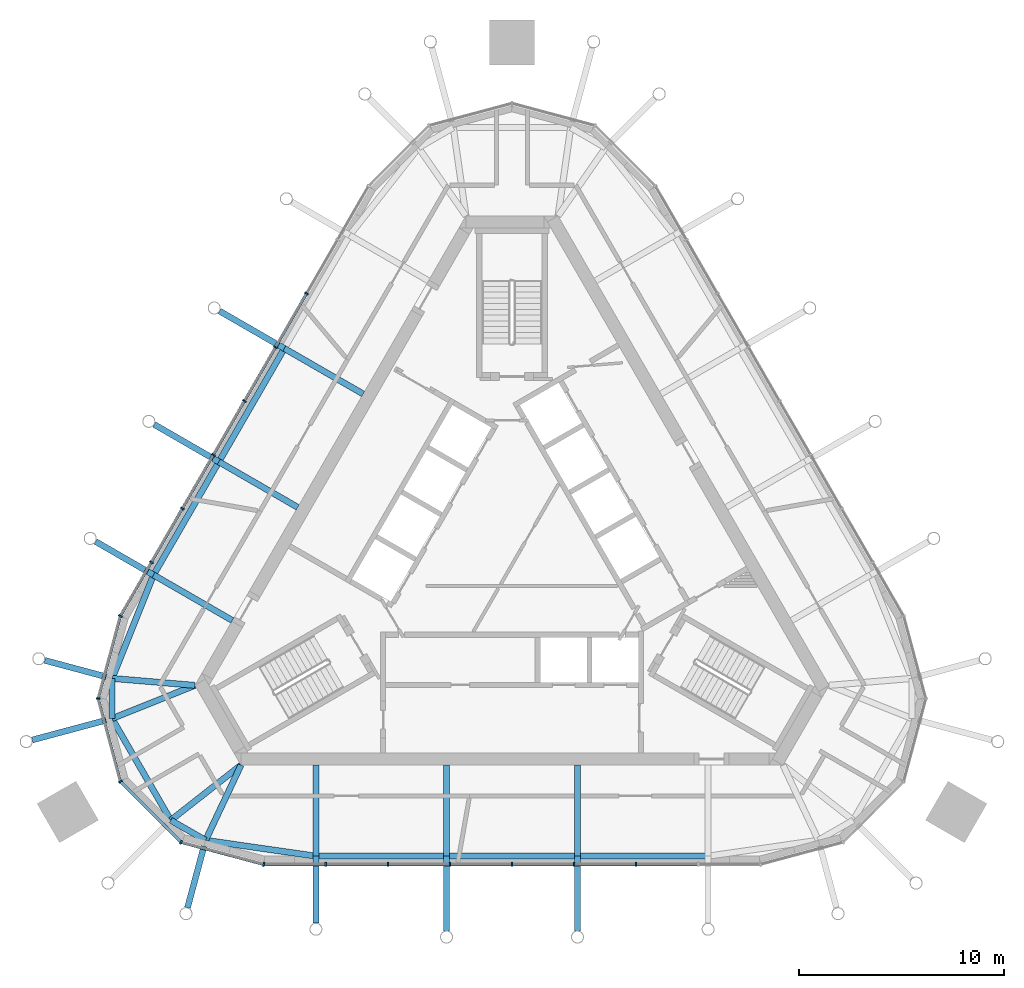
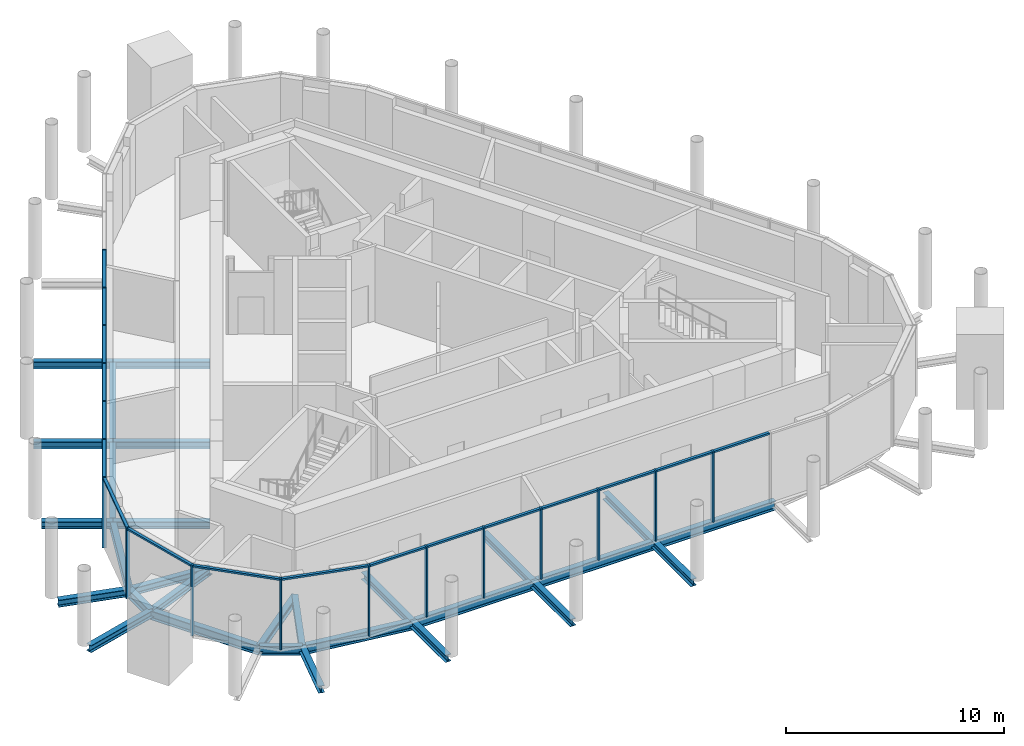
# One storey, part 2 of 11: 34 members, 29 beams, 3 elements without a shape of their own.
"""IFC4 building model written with IfcOpenShell, lengths in metres."""

from ifc_helpers import new_model, si_unit, direction, frame, origin, origin_2d, place, context, subcontext, project, spatial, rectangle, i_section, extrude, material, material_profile, profile_set, type_object, element, aggregate, save


model = new_model("IFC4")

# Units and contexts
model_context = context("Model", 3, precision=1e-05, world=origin(), true_north=direction((0.0, 1.0)))
body_context = subcontext(model_context, "Body", "Model", "MODEL_VIEW")
ifc_project = project(units=[si_unit("LENGTHUNIT", "METRE"), si_unit("AREAUNIT", "SQUARE_METRE"), si_unit("VOLUMEUNIT", "CUBIC_METRE"), si_unit("PLANEANGLEUNIT", "RADIAN"), si_unit("MASSUNIT", "GRAM", prefix="KILO")], contexts=[model_context])

# Site, building, storey
site_placement = place(None, origin())
site = spatial("IfcSite", under=ifc_project, at=site_placement, CompositionType="ELEMENT")
building_placement = place(site_placement, origin())
building = spatial("IfcBuilding", under=site, at=building_placement, Name="Mestral Congress Tower", CompositionType="ELEMENT")
storey_placement = place(building_placement, frame((0.0, 0.0, 331.800048828125)))
storey = spatial("IfcBuildingStorey", under=building, at=storey_placement, Name="L77", CompositionType="ELEMENT", Elevation=331.800048828125)

# Curtain wall, members
ifc_material_1 = material(Name="Glazed ceramic", Category="masonry")
curtain_wall_type = type_object("IfcCurtainWallType", Name="Facade plant louvre screen", PredefinedType="USERDEFINED", material=ifc_material_1)
placement = place(storey_placement, origin())
curtain_wall_1 = element("IfcCurtainWall", 1, at=placement, inside=storey, type_object=curtain_wall_type, Name="Plant louvre screen side 4", ObjectType="CURTAIN WALL", PredefinedType="USERDEFINED")
ifc_material_2 = material(Name="Anodised aluminium", Category="aluminium")
ifc_material_profile_1 = material_profile(ifc_material_2, rectangle(XDim=0.199951171875, YDim=0.080078125, at=origin_2d()), Name="CW6 mullion 200 x 80")
ifc_profile_set_1 = profile_set([ifc_material_profile_1], Name="Anodised aluminium")
member_type_1 = type_object("IfcMemberType", Name="Facade plant louvre screen mullion", PredefinedType="MULLION", material=ifc_profile_set_1)
member_1_placement = place(storey_placement, frame((-10.04248046875, 12.8056640625, 0.0), z_axis=(0.0, 0.0, 1.0), x_axis=(-0.866024531118, 0.500001511499, 0.0)))
member_1 = element("IfcMember", 2, at=member_1_placement, type_object=member_type_1, Name="Facade plant louvre screen mullion", PredefinedType="MULLION", context=body_context, shape_type="SweptSolid", body=[
    extrude(rectangle(XDim=0.199951171875, YDim=0.080078125, at=origin_2d()), origin(), (0.0, 0.0, 1.0), 3.949951171875),
])
member_2_placement = place(storey_placement, frame((-11.559814453125, 10.177978515625, 0.0), z_axis=(0.0, 0.0, 1.0), x_axis=(-0.866024531118, 0.500001511499, 0.0)))
member_2 = element("IfcMember", 3, at=member_2_placement, type_object=member_type_1, Name="Facade plant louvre screen mullion", PredefinedType="MULLION", context=body_context, shape_type="SweptSolid", body=[
    extrude(rectangle(XDim=0.199951171875, YDim=0.080078125, at=origin_2d()), origin(), (0.0, 0.0, 1.0), 3.949951171875),
])
member_3_placement = place(storey_placement, frame((-13.076904296875, 7.550048828125, 0.0), z_axis=(0.0, 0.0, 1.0), x_axis=(-0.866024531118, 0.500001511499, 0.0)))
member_3 = element("IfcMember", 4, at=member_3_placement, type_object=member_type_1, Name="Facade plant louvre screen mullion", PredefinedType="MULLION", context=body_context, shape_type="SweptSolid", body=[
    extrude(rectangle(XDim=0.199951171875, YDim=0.080078125, at=origin_2d()), origin(), (0.0, 0.0, 1.0), 3.949951171875),
])
member_4_placement = place(storey_placement, frame((-14.59423828125, 4.922119140625, 0.0), z_axis=(0.0, 0.0, 1.0), x_axis=(-0.866024531118, 0.500001511499, 0.0)))
member_4 = element("IfcMember", 5, at=member_4_placement, type_object=member_type_1, Name="Facade plant louvre screen mullion", PredefinedType="MULLION", context=body_context, shape_type="SweptSolid", body=[
    extrude(rectangle(XDim=0.199951171875, YDim=0.080078125, at=origin_2d()), origin(), (0.0, 0.0, 1.0), 3.949951171875),
])
member_5_placement = place(storey_placement, frame((-16.111328125, 2.294189453125, 0.0), z_axis=(0.0, 0.0, 1.0), x_axis=(-0.866024531118, 0.500001511499, 0.0)))
member_5 = element("IfcMember", 6, at=member_5_placement, type_object=member_type_1, Name="Facade plant louvre screen mullion", PredefinedType="MULLION", context=body_context, shape_type="SweptSolid", body=[
    extrude(rectangle(XDim=0.199951171875, YDim=0.080078125, at=origin_2d()), origin(), (0.0, 0.0, 1.0), 3.949951171875),
])
member_6_placement = place(storey_placement, frame((-17.628662109375, -0.33349609375, 0.0), z_axis=(0.0, 0.0, 1.0), x_axis=(-0.866024531118, 0.500001511499, 0.0)))
member_6 = element("IfcMember", 7, at=member_6_placement, type_object=member_type_1, Name="Facade plant louvre screen mullion", PredefinedType="MULLION", context=body_context, shape_type="SweptSolid", body=[
    extrude(rectangle(XDim=0.199951171875, YDim=0.080078125, at=origin_2d()), origin(), (0.0, 0.0, 1.0), 3.949951171875),
])
member_7_placement = place(storey_placement, frame((-19.145751953125, -2.96142578125, 0.0), z_axis=(0.0, 0.0, 1.0), x_axis=(-0.866024531118, 0.500001511499, 0.0)))
member_7 = element("IfcMember", 8, at=member_7_placement, type_object=member_type_1, Name="Facade plant louvre screen mullion", PredefinedType="MULLION", context=body_context, shape_type="SweptSolid", body=[
    extrude(rectangle(XDim=0.199951171875, YDim=0.080078125, at=origin_2d()), origin(), (0.0, 0.0, 1.0), 3.949951171875),
])

curtain_wall_2 = element("IfcCurtainWall", 9, at=placement, inside=storey, type_object=curtain_wall_type, Name="Plant louvre screen corner 5", ObjectType="CURTAIN WALL", PredefinedType="USERDEFINED")
member_8_placement = place(storey_placement, frame((-20.227783203125, -7.0, 0.0), z_axis=(0.0, 0.0, 1.0), x_axis=(-1.0, 0.0, 0.0)))
member_8 = element("IfcMember", 10, at=member_8_placement, type_object=member_type_1, Name="Facade plant louvre screen mullion", PredefinedType="MULLION", context=body_context, shape_type="SweptSolid", body=[
    extrude(rectangle(XDim=0.199951171875, YDim=0.080078125, at=origin_2d()), origin(), (0.0, 0.0, 1.0), 3.949951171875),
])
member_9_placement = place(storey_placement, frame((-19.142333984375, -11.0517578125, 0.0), z_axis=(0.0, 0.0, 1.0), x_axis=(-0.866025403784, -0.5, 0.0)))
member_9 = element("IfcMember", 11, at=member_9_placement, type_object=member_type_1, Name="Facade plant louvre screen mullion", PredefinedType="MULLION", context=body_context, shape_type="SweptSolid", body=[
    extrude(rectangle(XDim=0.199951171875, YDim=0.080078125, at=origin_2d()), origin(), (0.0, 0.0, 1.0), 3.949951171875),
])
member_10_placement = place(storey_placement, frame((-16.17626953125, -14.017822265625, 0.0), z_axis=(0.0, 0.0, 1.0), x_axis=(-0.5, -0.866025403784, 0.0)))
member_10 = element("IfcMember", 12, at=member_10_placement, type_object=member_type_1, Name="Facade plant louvre screen mullion", PredefinedType="MULLION", context=body_context, shape_type="SweptSolid", body=[
    extrude(rectangle(XDim=0.199951171875, YDim=0.080078125, at=origin_2d()), origin(), (0.0, 0.0, 1.0), 3.949951171875),
])
member_11_placement = place(storey_placement, frame((-12.1376953125, -15.10009765625, 0.0), z_axis=(0.0, 0.0, 1.0), x_axis=(-0.258819045103, -0.965925826289, 0.0)))
member_11 = element("IfcMember", 13, at=member_11_placement, type_object=member_type_1, Name="Facade plant louvre screen mullion", PredefinedType="MULLION", context=body_context, shape_type="SweptSolid", body=[
    extrude(rectangle(XDim=0.199951171875, YDim=0.080078125, at=origin_2d()), origin(), (0.0, 0.0, 1.0), 3.949951171875),
])

curtain_wall_3 = element("IfcCurtainWall", 14, at=placement, inside=storey, type_object=curtain_wall_type, Name="Plant louvre screen side 6", ObjectType="CURTAIN WALL", PredefinedType="USERDEFINED")
member_12_placement = place(storey_placement, frame((-9.103271484375, -15.10009765625, 0.0), z_axis=(0.0, 0.0, 1.0), x_axis=(0.0, -1.0, 0.0)))
member_12 = element("IfcMember", 15, at=member_12_placement, type_object=member_type_1, Name="Facade plant louvre screen mullion", PredefinedType="MULLION", context=body_context, shape_type="SweptSolid", body=[
    extrude(rectangle(XDim=0.199951171875, YDim=0.080078125, at=origin_2d()), origin(), (0.0, 0.0, 1.0), 3.949951171875),
])
member_13_placement = place(storey_placement, frame((-6.06884765625, -15.10009765625, 0.0), z_axis=(0.0, 0.0, 1.0), x_axis=(0.0, -1.0, 0.0)))
member_13 = element("IfcMember", 16, at=member_13_placement, type_object=member_type_1, Name="Facade plant louvre screen mullion", PredefinedType="MULLION", context=body_context, shape_type="SweptSolid", body=[
    extrude(rectangle(XDim=0.199951171875, YDim=0.080078125, at=origin_2d()), origin(), (0.0, 0.0, 1.0), 3.949951171875),
])
member_14_placement = place(storey_placement, frame((-3.034423828125, -15.10009765625, 0.0), z_axis=(0.0, 0.0, 1.0), x_axis=(0.0, -1.0, 0.0)))
member_14 = element("IfcMember", 17, at=member_14_placement, type_object=member_type_1, Name="Facade plant louvre screen mullion", PredefinedType="MULLION", context=body_context, shape_type="SweptSolid", body=[
    extrude(rectangle(XDim=0.199951171875, YDim=0.080078125, at=origin_2d()), origin(), (0.0, 0.0, 1.0), 3.949951171875),
])
member_15_placement = place(storey_placement, frame((0.0, -15.10009765625, 0.0), z_axis=(0.0, 0.0, 1.0), x_axis=(0.0, -1.0, 0.0)))
member_15 = element("IfcMember", 18, at=member_15_placement, type_object=member_type_1, Name="Facade plant louvre screen mullion", PredefinedType="MULLION", context=body_context, shape_type="SweptSolid", body=[
    extrude(rectangle(XDim=0.199951171875, YDim=0.080078125, at=origin_2d()), origin(), (0.0, 0.0, 1.0), 3.949951171875),
])
member_16_placement = place(storey_placement, frame((3.034423828125, -15.10009765625, 0.0), z_axis=(0.0, 0.0, 1.0), x_axis=(0.0, -1.0, 0.0)))
member_16 = element("IfcMember", 19, at=member_16_placement, type_object=member_type_1, Name="Facade plant louvre screen mullion", PredefinedType="MULLION", context=body_context, shape_type="SweptSolid", body=[
    extrude(rectangle(XDim=0.199951171875, YDim=0.080078125, at=origin_2d()), origin(), (0.0, 0.0, 1.0), 3.949951171875),
])
member_17_placement = place(storey_placement, frame((6.06884765625, -15.10009765625, 0.0), z_axis=(0.0, 0.0, 1.0), x_axis=(0.0, -1.0, 0.0)))
member_17 = element("IfcMember", 20, at=member_17_placement, type_object=member_type_1, Name="Facade plant louvre screen mullion", PredefinedType="MULLION", context=body_context, shape_type="SweptSolid", body=[
    extrude(rectangle(XDim=0.199951171875, YDim=0.080078125, at=origin_2d()), origin(), (0.0, 0.0, 1.0), 3.949951171875),
])

# Member
ifc_material_profile_2 = material_profile(ifc_material_2, rectangle(XDim=0.14990234375, YDim=0.10009765625, at=origin_2d()), Name="CW6 transom 150 x 100")
ifc_profile_set_2 = profile_set([ifc_material_profile_2], Name="Anodised aluminium")
member_type_2 = type_object("IfcMemberType", Name="Facade plant louvre screen transom", PredefinedType="USERDEFINED", material=ifc_profile_set_2)
member_18_placement = place(storey_placement, frame((-10.0625, 12.77099609375, 3.89990234375), z_axis=(-0.50002288008, -0.866012193561, 0.0), x_axis=(0.866012193561, -0.50002288008, 0.0)))
member_18 = element("IfcMember", 21, at=member_18_placement, type_object=member_type_2, Name="Facade plant louvre screen transom", ObjectType="TRANSOM", PredefinedType="USERDEFINED", context=body_context, shape_type="SweptSolid", body=[
    extrude(rectangle(XDim=0.14990234375, YDim=0.10009765625, at=origin_2d()), origin(), (0.0, 0.0, 1.0), 2.954345703125),
])

member_19_placement = place(storey_placement, frame((-11.579833984375, 10.143310546875, 3.89990234375), z_axis=(-0.499960902066, -0.86604797581, 0.0), x_axis=(0.86604797581, -0.499960902066, 0.0)))
member_19 = element("IfcMember", 22, at=member_19_placement, type_object=member_type_2, Name="Facade plant louvre screen transom", ObjectType="TRANSOM", PredefinedType="USERDEFINED", context=body_context, shape_type="SweptSolid", body=[
    extrude(rectangle(XDim=0.14990234375, YDim=0.10009765625, at=origin_2d()), origin(), (0.0, 0.0, 1.0), 2.954345703125),
])

member_20_placement = place(storey_placement, frame((-13.096923828125, 7.515380859375, 3.89990234375), z_axis=(-0.50002288008, -0.866012193561, 0.0), x_axis=(0.866012193561, -0.50002288008, 0.0)))
member_20 = element("IfcMember", 23, at=member_20_placement, type_object=member_type_2, Name="Facade plant louvre screen transom", ObjectType="TRANSOM", PredefinedType="USERDEFINED", context=body_context, shape_type="SweptSolid", body=[
    extrude(rectangle(XDim=0.14990234375, YDim=0.10009765625, at=origin_2d()), origin(), (0.0, 0.0, 1.0), 2.954345703125),
])

member_21_placement = place(storey_placement, frame((-14.6142578125, 4.887451171875, 3.89990234375), z_axis=(-0.499960902066, -0.86604797581, 0.0), x_axis=(0.86604797581, -0.499960902066, 0.0)))
member_21 = element("IfcMember", 24, at=member_21_placement, type_object=member_type_2, Name="Facade plant louvre screen transom", ObjectType="TRANSOM", PredefinedType="USERDEFINED", context=body_context, shape_type="SweptSolid", body=[
    extrude(rectangle(XDim=0.14990234375, YDim=0.10009765625, at=origin_2d()), origin(), (0.0, 0.0, 1.0), 2.954345703125),
])

member_22_placement = place(storey_placement, frame((-16.13134765625, 2.259765625, 3.89990234375), z_axis=(-0.50002288008, -0.866012193561, 0.0), x_axis=(0.866012193561, -0.50002288008, 0.0)))
member_22 = element("IfcMember", 25, at=member_22_placement, type_object=member_type_2, Name="Facade plant louvre screen transom", ObjectType="TRANSOM", PredefinedType="USERDEFINED", context=body_context, shape_type="SweptSolid", body=[
    extrude(rectangle(XDim=0.14990234375, YDim=0.10009765625, at=origin_2d()), origin(), (0.0, 0.0, 1.0), 2.954345703125),
])

member_23_placement = place(storey_placement, frame((-17.648681640625, -0.3681640625, 3.89990234375), z_axis=(-0.499960902066, -0.86604797581, 0.0), x_axis=(0.86604797581, -0.499960902066, 0.0)))
member_23 = element("IfcMember", 26, at=member_23_placement, type_object=member_type_2, Name="Facade plant louvre screen transom", ObjectType="TRANSOM", PredefinedType="USERDEFINED", context=body_context, shape_type="SweptSolid", body=[
    extrude(rectangle(XDim=0.14990234375, YDim=0.10009765625, at=origin_2d()), origin(), (0.0, 0.0, 1.0), 2.954345703125),
])

aggregate(curtain_wall_1, [member_1, member_2, member_3, member_4, member_5, member_6, member_7, member_18, member_19, member_20, member_21, member_22, member_23])

member_24_placement = place(storey_placement, frame((-19.156005859375, -3.0, 3.89990234375), z_axis=(-0.258833286133, -0.965922010304, 0.0), x_axis=(0.965922010304, -0.258833286133, 0.0)))
member_24 = element("IfcMember", 27, at=member_24_placement, type_object=member_type_2, Name="Facade plant louvre screen transom", ObjectType="TRANSOM", PredefinedType="USERDEFINED", context=body_context, shape_type="SweptSolid", body=[
    extrude(rectangle(XDim=0.14990234375, YDim=0.10009765625, at=origin_2d()), origin(), (0.0, 0.0, 1.0), 4.10107421875),
])

member_25_placement = place(storey_placement, frame((-20.217529296875, -7.03857421875, 3.89990234375), z_axis=(0.258807262034, -0.965928983476, 0.0), x_axis=(0.965928983476, 0.258807262034, 0.0)))
member_25 = element("IfcMember", 28, at=member_25_placement, type_object=member_type_2, Name="Facade plant louvre screen transom", ObjectType="TRANSOM", PredefinedType="USERDEFINED", context=body_context, shape_type="SweptSolid", body=[
    extrude(rectangle(XDim=0.14990234375, YDim=0.10009765625, at=origin_2d()), origin(), (0.0, 0.0, 1.0), 4.11474609375),
])

member_26_placement = place(storey_placement, frame((-19.114013671875, -11.080078125, 3.89990234375), z_axis=(0.707136447306, -0.707077113823, 0.0), x_axis=(0.707077113823, 0.707136447306, 0.0)))
member_26 = element("IfcMember", 29, at=member_26_placement, type_object=member_type_2, Name="Facade plant louvre screen transom", ObjectType="TRANSOM", PredefinedType="USERDEFINED", context=body_context, shape_type="SweptSolid", body=[
    extrude(rectangle(XDim=0.14990234375, YDim=0.10009765625, at=origin_2d()), origin(), (0.0, 0.0, 1.0), 4.11474609375),
])

member_27_placement = place(storey_placement, frame((-16.137451171875, -14.0283203125, 3.89990234375), z_axis=(0.965932905177, -0.258792624888, 0.0), x_axis=(0.258792624888, 0.965932905177, 0.0)))
member_27 = element("IfcMember", 30, at=member_27_placement, type_object=member_type_2, Name="Facade plant louvre screen transom", ObjectType="TRANSOM", PredefinedType="USERDEFINED", context=body_context, shape_type="SweptSolid", body=[
    extrude(rectangle(XDim=0.14990234375, YDim=0.10009765625, at=origin_2d()), origin(), (0.0, 0.0, 1.0), 4.100830078125),
])

aggregate(curtain_wall_2, [member_8, member_9, member_10, member_11, member_24, member_25, member_26, member_27])

member_28_placement = place(storey_placement, frame((-12.09765625, -15.10009765625, 3.89990234375), z_axis=(1.0, 0.0, 0.0), x_axis=(0.0, 1.0, 0.0)))
member_28 = element("IfcMember", 31, at=member_28_placement, type_object=member_type_2, Name="Facade plant louvre screen transom", ObjectType="TRANSOM", PredefinedType="USERDEFINED", context=body_context, shape_type="SweptSolid", body=[
    extrude(rectangle(XDim=0.14990234375, YDim=0.10009765625, at=origin_2d()), origin(), (0.0, 0.0, 1.0), 2.954345703125),
])

member_29_placement = place(storey_placement, frame((-9.063232421875, -15.10009765625, 3.89990234375), z_axis=(1.0, 0.0, 0.0), x_axis=(0.0, 1.0, 0.0)))
member_29 = element("IfcMember", 32, at=member_29_placement, type_object=member_type_2, Name="Facade plant louvre screen transom", ObjectType="TRANSOM", PredefinedType="USERDEFINED", context=body_context, shape_type="SweptSolid", body=[
    extrude(rectangle(XDim=0.14990234375, YDim=0.10009765625, at=origin_2d()), origin(), (0.0, 0.0, 1.0), 2.954345703125),
])

member_30_placement = place(storey_placement, frame((-6.02880859375, -15.10009765625, 3.89990234375), z_axis=(1.0, 0.0, 0.0), x_axis=(0.0, 1.0, 0.0)))
member_30 = element("IfcMember", 33, at=member_30_placement, type_object=member_type_2, Name="Facade plant louvre screen transom", ObjectType="TRANSOM", PredefinedType="USERDEFINED", context=body_context, shape_type="SweptSolid", body=[
    extrude(rectangle(XDim=0.14990234375, YDim=0.10009765625, at=origin_2d()), origin(), (0.0, 0.0, 1.0), 2.954345703125),
])

member_31_placement = place(storey_placement, frame((-2.994384765625, -15.10009765625, 3.89990234375), z_axis=(1.0, 0.0, 0.0), x_axis=(0.0, 1.0, 0.0)))
member_31 = element("IfcMember", 34, at=member_31_placement, type_object=member_type_2, Name="Facade plant louvre screen transom", ObjectType="TRANSOM", PredefinedType="USERDEFINED", context=body_context, shape_type="SweptSolid", body=[
    extrude(rectangle(XDim=0.14990234375, YDim=0.10009765625, at=origin_2d()), origin(), (0.0, 0.0, 1.0), 2.954345703125),
])

member_32_placement = place(storey_placement, frame((0.0400390625, -15.10009765625, 3.89990234375), z_axis=(1.0, 0.0, 0.0), x_axis=(0.0, 1.0, 0.0)))
member_32 = element("IfcMember", 35, at=member_32_placement, type_object=member_type_2, Name="Facade plant louvre screen transom", ObjectType="TRANSOM", PredefinedType="USERDEFINED", context=body_context, shape_type="SweptSolid", body=[
    extrude(rectangle(XDim=0.14990234375, YDim=0.10009765625, at=origin_2d()), origin(), (0.0, 0.0, 1.0), 2.954345703125),
])

member_33_placement = place(storey_placement, frame((3.074462890625, -15.10009765625, 3.89990234375), z_axis=(1.0, 0.0, 0.0), x_axis=(0.0, 1.0, 0.0)))
member_33 = element("IfcMember", 36, at=member_33_placement, type_object=member_type_2, Name="Facade plant louvre screen transom", ObjectType="TRANSOM", PredefinedType="USERDEFINED", context=body_context, shape_type="SweptSolid", body=[
    extrude(rectangle(XDim=0.14990234375, YDim=0.10009765625, at=origin_2d()), origin(), (0.0, 0.0, 1.0), 2.954345703125),
])

member_34_placement = place(storey_placement, frame((6.10888671875, -15.10009765625, 3.89990234375), z_axis=(1.0, 0.0, 0.0), x_axis=(0.0, 1.0, 0.0)))
member_34 = element("IfcMember", 37, at=member_34_placement, type_object=member_type_2, Name="Facade plant louvre screen transom", ObjectType="TRANSOM", PredefinedType="USERDEFINED", context=body_context, shape_type="SweptSolid", body=[
    extrude(rectangle(XDim=0.14990234375, YDim=0.10009765625, at=origin_2d()), origin(), (0.0, 0.0, 1.0), 2.954345703125),
])

aggregate(curtain_wall_3, [member_12, member_13, member_14, member_15, member_16, member_17, member_28, member_29, member_30, member_31, member_32, member_33, member_34])

# Beams
ifc_material_3 = material(Name="Steel S355", Category="steel")
ifc_material_profile_3 = material_profile(ifc_material_3, i_section(OverallWidth=0.300048828125, OverallDepth=0.39990234375, WebThickness=0.013427734375, FlangeThickness=0.02392578125, FilletRadius=0.027099609375, at=origin_2d()), Name="HEB 400")
ifc_profile_set_3 = profile_set([ifc_material_profile_3], Name="Steel S355")
beam_type_1 = type_object("IfcBeamType", Name="Floor beam HEB 400 S355", PredefinedType="BEAM", material=ifc_profile_set_3)
for number, where, z_axis, x_axis, name in (
    (38, (3.199462890625, -10.25, -0.449951171875), (0.0, -1.0, 0.0), (1.0, 0.0, 0.0), "BM-L77-KR01"),
    (39, (-3.199462890625, -10.25, -0.449951171875), (0.0, -1.0, 0.0), (1.0, 0.0, 0.0), "BM-L77-KR02"),
    (40, (-9.587158203125, -10.25, -0.449951171875), (0.0, -1.0, 0.0), (1.0, 0.0, 0.0), "BM-L77-KR03"),
):
    element("IfcBeam", number, at=place(storey_placement, frame(where, z_axis=z_axis, x_axis=x_axis)), inside=storey, type_object=beam_type_1, Name=name, PredefinedType="BEAM", context=body_context, shape_type="SweptSolid", body=[
        extrude(i_section(OverallWidth=0.300048828125, OverallDepth=0.39990234375, WebThickness=0.013427734375, FlangeThickness=0.02392578125, FilletRadius=0.027099609375, at=origin_2d()), origin(), (0.0, 0.0, 1.0), 4.449951171875),
    ])
beam_1_placement = place(storey_placement, frame((-13.250244140625, -10.25, -0.449951171875), z_axis=(-0.425828884258, -0.904803714256, 0.0), x_axis=(0.904803714256, -0.425828884258, 0.0)))
element("IfcBeam", 41, at=beam_1_placement, inside=storey, type_object=beam_type_1, Name="BM-L77-KR04", PredefinedType="BEAM", context=body_context, shape_type="SweptSolid", body=[
    extrude(i_section(OverallWidth=0.300048828125, OverallDepth=0.39990234375, WebThickness=0.013427734375, FlangeThickness=0.02392578125, FilletRadius=0.027099609375, at=origin_2d()), origin(), (0.0, 0.0, 1.0), 4.060791015625),
])
for number, where, z_axis, x_axis, name in (
    (42, (-13.250244140625, -10.25, -0.449951171875), (-0.786533746493, -0.617547298292, 0.0), (0.617547298292, -0.786533746493, 0.0), "BM-L77-KR05"),
    (43, (-15.501953125, -6.35009765625, -0.449951171875), (-0.928078801871, -0.372383857757, 0.0), (0.372383857757, -0.928078801871, 0.0), "BM-L77-KR06"),
):
    element("IfcBeam", number, at=place(storey_placement, frame(where, z_axis=z_axis, x_axis=x_axis)), inside=storey, type_object=beam_type_1, Name=name, PredefinedType="BEAM", context=body_context, shape_type="SweptSolid", body=[
        extrude(i_section(OverallWidth=0.300048828125, OverallDepth=0.39990234375, WebThickness=0.013427734375, FlangeThickness=0.02392578125, FilletRadius=0.027099609375, at=origin_2d()), origin(), (0.0, 0.0, 1.0), 4.364501953125),
    ])
beam_2_placement = place(storey_placement, frame((-15.501953125, -6.35009765625, -0.449951171875), z_axis=(-0.996497077205, 0.083627597852, 0.0), x_axis=(-0.083627597852, -0.996497077205, 0.0)))
element("IfcBeam", 44, at=beam_2_placement, inside=storey, type_object=beam_type_1, Name="BM-L77-KR07", PredefinedType="BEAM", context=body_context, shape_type="SweptSolid", body=[
    extrude(i_section(OverallWidth=0.300048828125, OverallDepth=0.39990234375, WebThickness=0.013427734375, FlangeThickness=0.02392578125, FilletRadius=0.027099609375, at=origin_2d()), origin(), (0.0, 0.0, 1.0), 4.060791015625),
])
for number, where, z_axis, x_axis, name in (
    (45, (-13.67041015625, -3.177734375, -0.449951171875), (-0.866012907634, 0.500021643343, 0.0), (-0.500021643343, -0.866012907634, 0.0), "BM-L77-KR08"),
    (46, (-10.4765625, 2.35400390625, -0.449951171875), (-0.866012907634, 0.500021643343, 0.0), (-0.500021643343, -0.866012907634, 0.0), "BM-L77-KR09"),
    (47, (-7.277099609375, 7.89599609375, -0.449951171875), (-0.866036664382, 0.499980495566, 0.0), (-0.499980495566, -0.866036664382, 0.0), "BM-L77-KR10"),
):
    element("IfcBeam", number, at=place(storey_placement, frame(where, z_axis=z_axis, x_axis=x_axis)), inside=storey, type_object=beam_type_1, Name=name, PredefinedType="BEAM", context=body_context, shape_type="SweptSolid", body=[
        extrude(i_section(OverallWidth=0.300048828125, OverallDepth=0.39990234375, WebThickness=0.013427734375, FlangeThickness=0.02392578125, FilletRadius=0.027099609375, at=origin_2d()), origin(), (0.0, 0.0, 1.0), 4.449951171875),
    ])
for number, where, z_axis, x_axis, name in (
    (48, (3.199462890625, -18.35009765625, -0.449951171875), (0.0, 1.0, 0.0), (-1.0, 0.0, 0.0), "BM-L77-KT-C5-S03"),
    (49, (-3.199462890625, -18.35009765625, -0.449951171875), (0.0, 1.0, 0.0), (-1.0, 0.0, 0.0), "BM-L77-KT-C5-S02"),
):
    element("IfcBeam", number, at=place(storey_placement, frame(where, z_axis=z_axis, x_axis=x_axis)), inside=storey, type_object=beam_type_1, Name=name, PredefinedType="BEAM", context=body_context, shape_type="SweptSolid", body=[
        extrude(i_section(OverallWidth=0.300048828125, OverallDepth=0.39990234375, WebThickness=0.013427734375, FlangeThickness=0.02392578125, FilletRadius=0.027099609375, at=origin_2d()), origin(), (0.0, 0.0, 1.0), 3.650146484375),
    ])
beam_3_placement = place(storey_placement, frame((-9.587158203125, -17.96875, -0.449951171875), z_axis=(0.0, 1.0, 0.0), x_axis=(-1.0, 0.0, 0.0)))
element("IfcBeam", 50, at=beam_3_placement, inside=storey, type_object=beam_type_1, Name="BM-L77-KT-C5-S01", PredefinedType="BEAM", context=body_context, shape_type="SweptSolid", body=[
    extrude(i_section(OverallWidth=0.300048828125, OverallDepth=0.39990234375, WebThickness=0.013427734375, FlangeThickness=0.02392578125, FilletRadius=0.027099609375, at=origin_2d()), origin(), (0.0, 0.0, 1.0), 3.268798828125),
])
beam_4_placement = place(storey_placement, frame((-15.86181640625, -17.21728515625, -0.449951171875), z_axis=(0.258812449793, 0.965927593473, 0.0), x_axis=(-0.965927593473, 0.258812449793, 0.0)))
element("IfcBeam", 51, at=beam_4_placement, inside=storey, type_object=beam_type_1, Name="BM-L77-KT-C5-S00", PredefinedType="BEAM", context=body_context, shape_type="SweptSolid", body=[
    extrude(i_section(OverallWidth=0.300048828125, OverallDepth=0.39990234375, WebThickness=0.013427734375, FlangeThickness=0.02392578125, FilletRadius=0.027099609375, at=origin_2d()), origin(), (0.0, 0.0, 1.0), 3.4091796875),
])
beam_5_placement = place(storey_placement, frame((-23.453369140625, -9.0205078125, -0.449951171875), z_axis=(0.965930242246, 0.258802563966, 0.0), x_axis=(-0.258802563966, 0.965930242246, 0.0)))
element("IfcBeam", 52, at=beam_5_placement, inside=storey, type_object=beam_type_1, Name="BM-L77-KT-C5-SW1", PredefinedType="BEAM", context=body_context, shape_type="SweptSolid", body=[
    extrude(i_section(OverallWidth=0.300048828125, OverallDepth=0.39990234375, WebThickness=0.013427734375, FlangeThickness=0.02392578125, FilletRadius=0.027099609375, at=origin_2d()), origin(), (0.0, 0.0, 1.0), 4.03857421875),
])
beam_6_placement = place(storey_placement, frame((-22.841552734375, -5.1279296875, -0.449951171875), z_axis=(0.965909688455, -0.258879264811, 0.0), x_axis=(0.258879264811, 0.965909688455, 0.0)))
element("IfcBeam", 53, at=beam_6_placement, inside=storey, type_object=beam_type_1, Name="BM-L77-KT-C5-W05", PredefinedType="BEAM", context=body_context, shape_type="SweptSolid", body=[
    extrude(i_section(OverallWidth=0.300048828125, OverallDepth=0.39990234375, WebThickness=0.013427734375, FlangeThickness=0.02392578125, FilletRadius=0.027099609375, at=origin_2d()), origin(), (0.0, 0.0, 1.0), 3.4091796875),
])
beam_7_placement = place(storey_placement, frame((-20.35498046875, 0.681640625, -0.449951171875), z_axis=(0.86603757612, -0.499978916304, 0.0), x_axis=(0.499978916304, 0.86603757612, 0.0)))
element("IfcBeam", 54, at=beam_7_placement, inside=storey, type_object=beam_type_1, Name="BM-L77-KT-C5-W04", PredefinedType="BEAM", context=body_context, shape_type="SweptSolid", body=[
    extrude(i_section(OverallWidth=0.300048828125, OverallDepth=0.39990234375, WebThickness=0.013427734375, FlangeThickness=0.02392578125, FilletRadius=0.027099609375, at=origin_2d()), origin(), (0.0, 0.0, 1.0), 3.268798828125),
])
beam_8_placement = place(storey_placement, frame((-17.49169921875, 6.404296875, -0.449951171875), z_axis=(0.866028549844, -0.499994550825, 0.0), x_axis=(0.499994550825, 0.866028549844, 0.0)))
element("IfcBeam", 55, at=beam_8_placement, inside=storey, type_object=beam_type_1, Name="BM-L77-KT-C5-W03", PredefinedType="BEAM", context=body_context, shape_type="SweptSolid", body=[
    extrude(i_section(OverallWidth=0.300048828125, OverallDepth=0.39990234375, WebThickness=0.013427734375, FlangeThickness=0.02392578125, FilletRadius=0.027099609375, at=origin_2d()), origin(), (0.0, 0.0, 1.0), 3.650390625),
])
beam_9_placement = place(storey_placement, frame((-14.2919921875, 11.946044921875, -0.449951171875), z_axis=(0.866011828767, -0.500023511883, 0.0), x_axis=(0.500023511883, 0.866011828767, 0.0)))
element("IfcBeam", 56, at=beam_9_placement, inside=storey, type_object=beam_type_1, Name="BM-L77-KT-C5-W02", PredefinedType="BEAM", context=body_context, shape_type="SweptSolid", body=[
    extrude(i_section(OverallWidth=0.300048828125, OverallDepth=0.39990234375, WebThickness=0.013427734375, FlangeThickness=0.02392578125, FilletRadius=0.027099609375, at=origin_2d()), origin(), (0.0, 0.0, 1.0), 3.650146484375),
])
ifc_material_profile_4 = material_profile(ifc_material_3, i_section(OverallWidth=0.300048828125, OverallDepth=0.5, WebThickness=0.014404296875, FlangeThickness=0.028076171875, FilletRadius=0.027099609375, at=origin_2d()), Name="HEB 500")
ifc_profile_set_4 = profile_set([ifc_material_profile_4], Name="Steel S355")
beam_type_2 = type_object("IfcBeamType", Name="Floor beam HEB 500 S355", PredefinedType="BEAM", material=ifc_profile_set_4)
beam_10_placement = place(storey_placement, frame((9.587158203125, -14.699951171875, -0.5), z_axis=(-1.0, 0.0, 0.0), x_axis=(0.0, -1.0, 0.0)))
element("IfcBeam", 57, at=beam_10_placement, inside=storey, type_object=beam_type_2, Name="BM-L77-KG00", PredefinedType="BEAM", context=body_context, shape_type="SweptSolid", body=[
    extrude(i_section(OverallWidth=0.300048828125, OverallDepth=0.5, WebThickness=0.014404296875, FlangeThickness=0.028076171875, FilletRadius=0.027099609375, at=origin_2d()), origin(), (0.0, 0.0, 1.0), 6.3876953125),
])
beam_11_placement = place(storey_placement, frame((3.199462890625, -14.699951171875, -0.5), z_axis=(-1.0, 0.0, 0.0), x_axis=(0.0, -1.0, 0.0)))
element("IfcBeam", 58, at=beam_11_placement, inside=storey, type_object=beam_type_2, Name="BM-L77-KG01", PredefinedType="BEAM", context=body_context, shape_type="SweptSolid", body=[
    extrude(i_section(OverallWidth=0.300048828125, OverallDepth=0.5, WebThickness=0.014404296875, FlangeThickness=0.028076171875, FilletRadius=0.027099609375, at=origin_2d()), origin(), (0.0, 0.0, 1.0), 6.39892578125),
])
beam_12_placement = place(storey_placement, frame((-3.199462890625, -14.699951171875, -0.5), z_axis=(-1.0, 0.0, 0.0), x_axis=(0.0, -1.0, 0.0)))
element("IfcBeam", 59, at=beam_12_placement, inside=storey, type_object=beam_type_2, Name="BM-L77-KG02", PredefinedType="BEAM", context=body_context, shape_type="SweptSolid", body=[
    extrude(i_section(OverallWidth=0.300048828125, OverallDepth=0.5, WebThickness=0.014404296875, FlangeThickness=0.028076171875, FilletRadius=0.027099609375, at=origin_2d()), origin(), (0.0, 0.0, 1.0), 6.3876953125),
])
beam_13_placement = place(storey_placement, frame((-9.587158203125, -14.699951171875, -0.5), z_axis=(-0.989812798939, 0.1423749383, 0.0), x_axis=(-0.1423749383, -0.989812798939, 0.0)))
element("IfcBeam", 60, at=beam_13_placement, inside=storey, type_object=beam_type_2, Name="BM-L77-KG03", PredefinedType="BEAM", context=body_context, shape_type="SweptSolid", body=[
    extrude(i_section(OverallWidth=0.300048828125, OverallDepth=0.5, WebThickness=0.014404296875, FlangeThickness=0.028076171875, FilletRadius=0.027099609375, at=origin_2d()), origin(), (0.0, 0.0, 1.0), 5.44775390625),
])
beam_14_placement = place(storey_placement, frame((-14.9794921875, -13.92431640625, -0.5), z_axis=(-0.86703245351, 0.498251667895, 0.0), x_axis=(-0.498251667895, -0.86703245351, 0.0)))
element("IfcBeam", 61, at=beam_14_placement, inside=storey, type_object=beam_type_2, Name="BM-L77-KG04", PredefinedType="BEAM", context=body_context, shape_type="SweptSolid", body=[
    extrude(i_section(OverallWidth=0.300048828125, OverallDepth=0.5, WebThickness=0.014404296875, FlangeThickness=0.028076171875, FilletRadius=0.027099609375, at=origin_2d()), origin(), (0.0, 0.0, 1.0), 1.96484375),
])
beam_15_placement = place(storey_placement, frame((-16.68310546875, -12.9453125, -0.5), z_axis=(-0.499996189405, 0.866027603821, 0.0), x_axis=(-0.866027603821, -0.499996189405, 0.0)))
element("IfcBeam", 62, at=beam_15_placement, inside=storey, type_object=beam_type_2, Name="BM-L77-KG05", PredefinedType="BEAM", context=body_context, shape_type="SweptSolid", body=[
    extrude(i_section(OverallWidth=0.300048828125, OverallDepth=0.5, WebThickness=0.014404296875, FlangeThickness=0.028076171875, FilletRadius=0.027099609375, at=origin_2d()), origin(), (0.0, 0.0, 1.0), 5.73876953125),
])
beam_16_placement = place(storey_placement, frame((-19.552490234375, -7.975341796875, -0.5), z_axis=(0.001988067642, 0.999998023792, 0.0), x_axis=(-0.999998023792, 0.001988067642, 0.0)))
element("IfcBeam", 63, at=beam_16_placement, inside=storey, type_object=beam_type_2, Name="BM-L77-KG06", PredefinedType="BEAM", context=body_context, shape_type="SweptSolid", body=[
    extrude(i_section(OverallWidth=0.300048828125, OverallDepth=0.5, WebThickness=0.014404296875, FlangeThickness=0.028076171875, FilletRadius=0.027099609375, at=origin_2d()), origin(), (0.0, 0.0, 1.0), 1.96484375),
])
beam_17_placement = place(storey_placement, frame((-19.548583984375, -6.010498046875, -0.5), z_axis=(0.37159155469, 0.928396314341, 0.0), x_axis=(-0.928396314341, 0.37159155469, 0.0)))
element("IfcBeam", 64, at=beam_17_placement, inside=storey, type_object=beam_type_2, Name="BM-L77-KG07", PredefinedType="BEAM", context=body_context, shape_type="SweptSolid", body=[
    extrude(i_section(OverallWidth=0.300048828125, OverallDepth=0.5, WebThickness=0.014404296875, FlangeThickness=0.028076171875, FilletRadius=0.027099609375, at=origin_2d()), origin(), (0.0, 0.0, 1.0), 5.447998046875),
])
beam_18_placement = place(storey_placement, frame((-17.524169921875, -0.95263671875, -0.5), z_axis=(0.500011397576, 0.866018823291, 0.0), x_axis=(-0.866018823291, 0.500011397576, 0.0)))
element("IfcBeam", 65, at=beam_18_placement, inside=storey, type_object=beam_type_2, Name="BM-L77-KG08", PredefinedType="BEAM", context=body_context, shape_type="SweptSolid", body=[
    extrude(i_section(OverallWidth=0.300048828125, OverallDepth=0.5, WebThickness=0.014404296875, FlangeThickness=0.028076171875, FilletRadius=0.027099609375, at=origin_2d()), origin(), (0.0, 0.0, 1.0), 6.387451171875),
])
beam_19_placement = place(storey_placement, frame((-14.330322265625, 4.5791015625, -0.5), z_axis=(0.499992166441, 0.866029926444, 0.0), x_axis=(-0.866029926444, 0.499992166441, 0.0)))
element("IfcBeam", 66, at=beam_19_placement, inside=storey, type_object=beam_type_2, Name="BM-L77-KG09", PredefinedType="BEAM", context=body_context, shape_type="SweptSolid", body=[
    extrude(i_section(OverallWidth=0.300048828125, OverallDepth=0.5, WebThickness=0.014404296875, FlangeThickness=0.028076171875, FilletRadius=0.027099609375, at=origin_2d()), origin(), (0.0, 0.0, 1.0), 6.39892578125),
])

save(model, "model.ifc")
